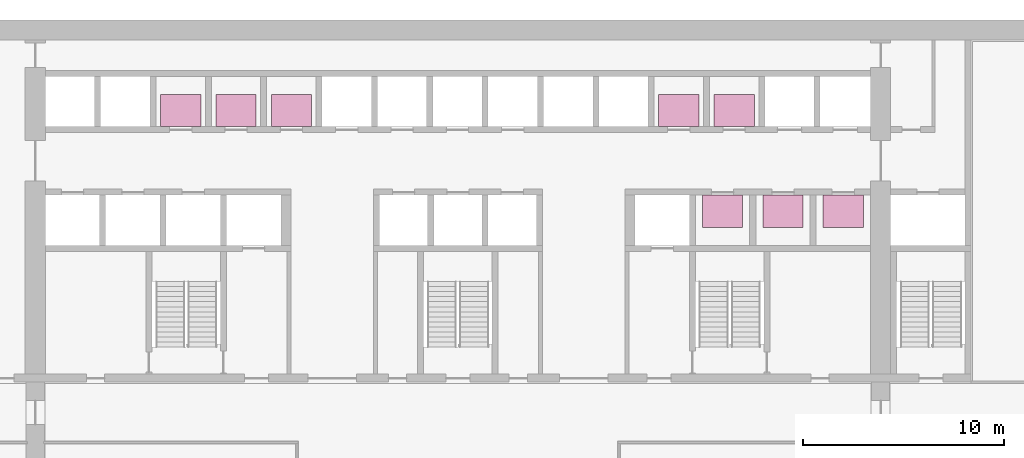
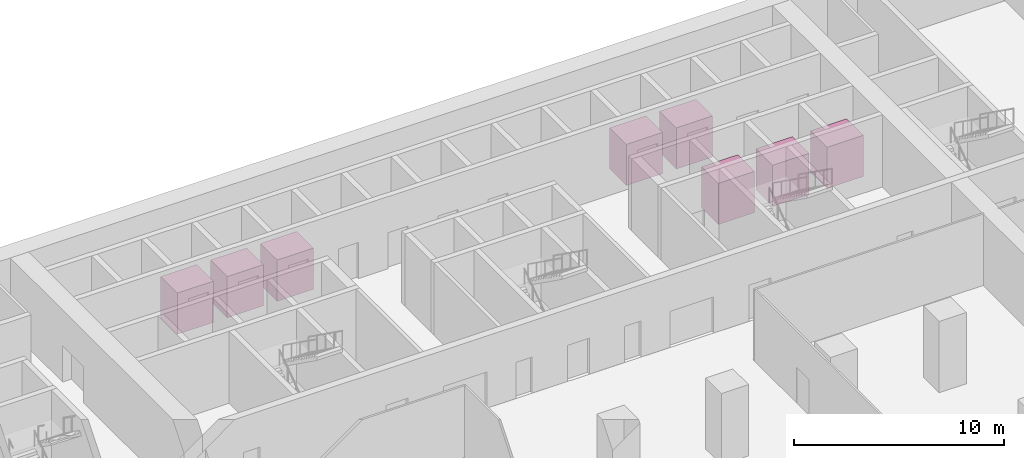
# One storey, part 18 of 18: 8 transport elements.
"""IFC4 building model written with IfcOpenShell, lengths in metres."""

import ifcopenshell
import ifcopenshell.guid

model = None  # the IFC model being written
_history = None  # IfcOwnerHistory: only IFC2X3 demands one
_inside = {}  # id of a spatial element -> (the spatial element, [elements in it])
_under = {}  # id of a project, library or spatial element -> (it, [spatial elements below it])
_declared = {}  # id of a project -> (the project, [libraries it declares])
_typed = {}  # id of a type object -> (the type object, [elements of that type])
_made_of = {}  # id of a material, layer set ... -> (it, [elements and type objects made of it])


def new_model(schema):
    """Start an empty IFC model of exactly this schema.

    Asked for "IFC4X3", IfcOpenShell would pick the latest addendum, in which some entities
    have other attributes; the version numbers below select the first issue.
    IFC2X3 requires an IfcOwnerHistory on every rooted entity: one is made here for all.
    """
    global model, _history
    if schema == "IFC4X3":
        model = ifcopenshell.file(schema_version=(4, 3, 0, 0))
    else:
        model = ifcopenshell.file(schema=schema)
    _inside.clear()
    _under.clear()
    _declared.clear()
    _typed.clear()
    _made_of.clear()
    _history = None
    if model.schema == "IFC2X3":
        org = make("IfcOrganization", Name="unknown")
        user = make(
            "IfcPersonAndOrganization",
            ThePerson=make("IfcPerson", FamilyName="unknown"),
            TheOrganization=org,
        )
        app = make(
            "IfcApplication",
            ApplicationDeveloper=org,
            Version="unknown",
            ApplicationFullName="unknown",
            ApplicationIdentifier="unknown",
        )
        _history = make(
            "IfcOwnerHistory",
            OwningUser=user,
            OwningApplication=app,
            ChangeAction="ADDED",
            CreationDate=0,
        )
    return model


def make(cls, **values):
    """One entity of the class cls with the attributes given. An attribute that is None is left unset."""
    return model.create_entity(
        cls, **{name: value for name, value in values.items() if value is not None}
    )


def rooted(cls, **values):
    """An entity with a GlobalId (a new one), such as an element, a storey or a relation."""
    return make(cls, GlobalId=ifcopenshell.guid.new(), OwnerHistory=_history, **values)


def si_unit(unit_type, name, prefix=None):
    """IfcSIUnit, for example si_unit("LENGTHUNIT", "METRE", prefix="MILLI")."""
    return make("IfcSIUnit", UnitType=unit_type, Prefix=prefix, Name=name)


def assignment(units):
    """IfcUnitAssignment: the units of a project."""
    return None if units is None else make("IfcUnitAssignment", Units=units)


def point(xyz):
    """IfcCartesianPoint."""
    return None if xyz is None else make("IfcCartesianPoint", Coordinates=xyz)


def direction(xyz):
    """IfcDirection."""
    return None if xyz is None else make("IfcDirection", DirectionRatios=xyz)


def frame(location, z_axis=None, x_axis=None):
    """IfcAxis2Placement3D, a coordinate frame: its origin and axes. An axis left out is left unset."""
    return make(
        "IfcAxis2Placement3D",
        Location=point(location),
        Axis=direction(z_axis),
        RefDirection=direction(x_axis),
    )


def frame_2d(location, x_axis=None):
    """IfcAxis2Placement2D, a coordinate frame in the plane: its origin and x axis."""
    return make(
        "IfcAxis2Placement2D", Location=point(location), RefDirection=direction(x_axis)
    )


def origin():
    """The frame at (0, 0, 0) with its axes left unset."""
    return frame((0.0, 0.0, 0.0))


def origin_2d():
    """The frame at (0, 0) in the plane with its x axis left unset."""
    return frame_2d((0.0, 0.0))


def place(relative_to, where):
    """IfcLocalPlacement: puts the frame where relative to a parent placement (None: the world)."""
    return make(
        "IfcLocalPlacement", PlacementRelTo=relative_to, RelativePlacement=where
    )


def context(
    kind, dimensions, precision=None, world=None, true_north=None, identifier=None
):
    """IfcGeometricRepresentationContext, for example the 3D "Model" context."""
    return make(
        "IfcGeometricRepresentationContext",
        ContextIdentifier=identifier,
        ContextType=kind,
        CoordinateSpaceDimension=dimensions,
        Precision=precision,
        WorldCoordinateSystem=world,
        TrueNorth=true_north,
    )


def subcontext(parent, identifier, kind, view, scale=None):
    """IfcGeometricRepresentationSubContext, for example "Body" below "Model"."""
    return make(
        "IfcGeometricRepresentationSubContext",
        ContextIdentifier=identifier,
        ContextType=kind,
        ParentContext=parent,
        TargetScale=scale,
        TargetView=view,
    )


def project(units=None, contexts=None):
    """IfcProject with its units and contexts."""
    return rooted(
        "IfcProject",
        Name="project",
        RepresentationContexts=contexts,
        UnitsInContext=assignment(units),
    )


def spatial(cls, under=None, at=None, **own):
    """A site, building, storey or space (cls), placed at a placement, below another one or the project."""
    s = rooted(cls, ObjectPlacement=at, **own)
    if under is not None:
        _under.setdefault(under.id(), (under, []))[1].append(s)
    return s


def profile(cls, at=None, kind="AREA", **sizes):
    """A parametric profile (cls). Its sizes go by their IFC names, for example OverallWidth=200.0."""
    return make(cls, ProfileType=kind, Position=at, **sizes)


def rectangle(**sizes):
    """IfcRectangleProfileDef."""
    return profile("IfcRectangleProfileDef", **sizes)


def extrude(swept, where, along, depth):
    """IfcExtrudedAreaSolid: the profile swept, set in the frame where, extruded along a direction by depth."""
    return make(
        "IfcExtrudedAreaSolid",
        SweptArea=swept,
        Position=where,
        ExtrudedDirection=direction(along),
        Depth=depth,
    )


def shape(context_of_items, identifier, shape_type, items):
    """IfcShapeRepresentation: the items that make up one representation, for example the "Body"."""
    return make(
        "IfcShapeRepresentation",
        ContextOfItems=context_of_items,
        RepresentationIdentifier=identifier,
        RepresentationType=shape_type,
        Items=items,
    )


def material(Name=None, Category=None):
    """IfcMaterial."""
    return make("IfcMaterial", Name=Name, Category=Category)


def made_of(thing, what):
    """Note that an element or type object is made of a material, layer set ...; save() writes the relation."""
    if what is not None:
        _made_of.setdefault(what.id(), (what, []))[1].append(thing)
    return thing


def type_object(cls, material=None, **own):
    """A type object (cls), such as IfcWallType, which elements share."""
    return made_of(rooted(cls, **own), material)


def element(
    cls,
    number,
    at=None,
    inside=None,
    cuts=None,
    type_object=None,
    material=None,
    context=None,
    identifier="Body",
    shape_type=None,
    held_by="IfcProductDefinitionShape",
    body=None,
    shapes=None,
    **own,
):
    """One element of the class cls, such as IfcWall. Its Tag is "e" and its number.

    at: its placement. inside: the storey or other place that contains it. cuts: it is an
    opening in that element (IfcRelVoidsElement). A single representation is given by context,
    identifier, shape_type and body (its items); several are given by shapes. held_by: the class
    of the entity that holds the representations. save() writes the other relations.
    """
    e = rooted(cls, Tag="e%d" % number, ObjectPlacement=at, **own)
    if body is not None:
        shapes = [shape(context, identifier, shape_type, body)]
    if shapes is not None:
        e.Representation = make(held_by, Representations=shapes)
    if inside is not None:
        _inside.setdefault(inside.id(), (inside, []))[1].append(e)
    if cuts is not None:
        rooted(
            "IfcRelVoidsElement", RelatingBuildingElement=cuts, RelatedOpeningElement=e
        )
    if type_object is not None:
        _typed.setdefault(type_object.id(), (type_object, []))[1].append(e)
    return made_of(e, material)


def aggregate(whole, parts):
    """IfcRelAggregates: a whole, such as a stair, and the parts it consists of."""
    return rooted("IfcRelAggregates", RelatingObject=whole, RelatedObjects=parts)


def save(model, path):
    """Write the relations noted so far, then the file.

    IfcRelAggregates (storeys below a building ...), IfcRelContainedInSpatialStructure (elements
    in a storey), IfcRelDefinesByType, IfcRelAssociatesMaterial and IfcRelDeclares: one each for
    every whole, place, type object, material and project.
    """
    for whole, parts in _under.values():
        aggregate(whole, parts)
    for where, things in _inside.values():
        rooted(
            "IfcRelContainedInSpatialStructure",
            RelatedElements=things,
            RelatingStructure=where,
        )
    for kind, things in _typed.values():
        rooted("IfcRelDefinesByType", RelatedObjects=things, RelatingType=kind)
    for what, things in _made_of.values():
        rooted("IfcRelAssociatesMaterial", RelatedObjects=things, RelatingMaterial=what)
    for by, libraries in _declared.values():
        rooted("IfcRelDeclares", RelatingContext=by, RelatedDefinitions=libraries)
    model.write(path)


model = new_model("IFC4")

# Units and contexts
model_context = context("Model", 3, precision=1e-05, world=origin(), true_north=direction((0.0, 1.0)))
body_context = subcontext(model_context, "Body", "Model", "MODEL_VIEW")
ifc_project = project(units=[si_unit("LENGTHUNIT", "METRE"), si_unit("AREAUNIT", "SQUARE_METRE"), si_unit("VOLUMEUNIT", "CUBIC_METRE"), si_unit("PLANEANGLEUNIT", "RADIAN"), si_unit("MASSUNIT", "GRAM", prefix="KILO")], contexts=[model_context])

# Site, building, storey
site_placement = place(None, origin())
site = spatial("IfcSite", under=ifc_project, at=site_placement, CompositionType="ELEMENT")
building_placement = place(site_placement, origin())
building = spatial("IfcBuilding", under=site, at=building_placement, Name="Calvaro Tower", CompositionType="ELEMENT")
storey_placement = place(building_placement, frame((0.0, 0.0, 90.0)))
storey = spatial("IfcBuildingStorey", under=building, at=storey_placement, Name="L22", CompositionType="ELEMENT", Elevation=90.0)

# Transport elements
ifc_material = material(Name="Stainless steel", Category="steel")
transport_element_type = type_object("IfcTransportElementType", Name="Passenger lift MR 2000 by 1600", PredefinedType="ELEVATOR", material=ifc_material)
for number, where, z_axis, x_axis, name in (
    (1, (52.14990234375, 36.5, 0.0), (0.0, 0.0, 1.0), (1.0, 0.0, 0.0), "MR1"),
    (2, (55.14990234375, 36.5, 0.0), (0.0, 0.0, 1.0), (1.0, 0.0, 0.0), "MR2"),
    (3, (58.14990234375, 36.5, 0.0), (0.0, 0.0, 1.0), (1.0, 0.0, 0.0), "MR3"),
    (4, (25.22509765625, 41.5, 0.0), (0.0, 0.0, 1.0), (1.0, 0.0, 0.0), "MR4"),
    (5, (27.97509765625, 41.5, 0.0), (0.0, 0.0, 1.0), (1.0, 0.0, 0.0), "MR5"),
    (6, (30.72509765625, 41.5, 0.0), (0.0, 0.0, 1.0), (1.0, 0.0, 0.0), "MR6"),
    (7, (49.97509765625, 41.5, 0.0), (0.0, 0.0, 1.0), (1.0, 0.0, 0.0), "MR7"),
    (8, (52.72509765625, 41.5, 0.0), (0.0, 0.0, 1.0), (1.0, 0.0, 0.0), "MR8"),
):
    element("IfcTransportElement", number, at=place(storey_placement, frame(where, z_axis=z_axis, x_axis=x_axis)), inside=storey, type_object=transport_element_type, Name=name, PredefinedType="ELEVATOR", context=body_context, shape_type="SweptSolid", body=[
        extrude(rectangle(XDim=2.0, YDim=1.60009765625, at=origin_2d()), origin(), (0.0, 0.0, 1.0), 2.39990234375),
    ])

save(model, "model.ifc")
